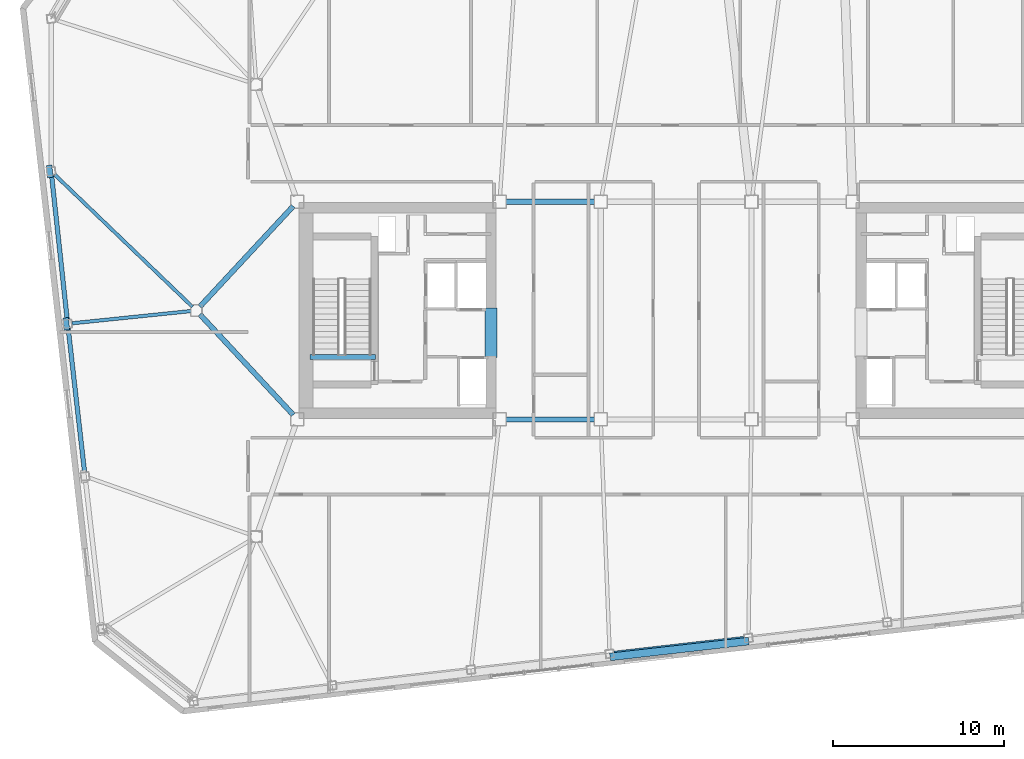
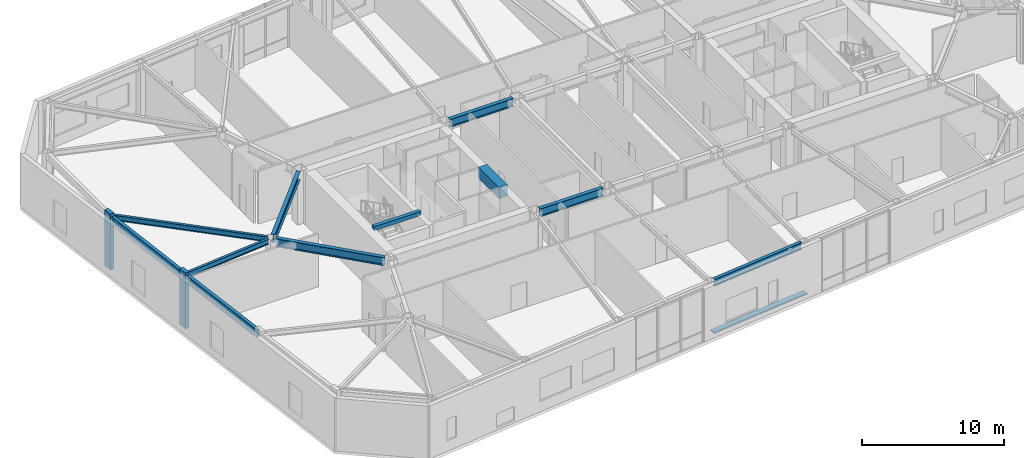
# One storey, part 7 of 21: 11 beams, 3 members.
"""IFC4 building model written with IfcOpenShell, lengths in metres."""

from ifc_helpers import new_model, si_unit, direction, frame, origin, origin_2d, place, context, subcontext, project, spatial, rectangle, i_section, extrude, material, material_profile, profile_set, type_object, element, save


model = new_model("IFC4")

# Units and contexts
model_context = context("Model", 3, precision=1e-05, world=origin(), true_north=direction((0.0, 1.0)))
body_context = subcontext(model_context, "Body", "Model", "MODEL_VIEW")
ifc_project = project(units=[si_unit("LENGTHUNIT", "METRE"), si_unit("AREAUNIT", "SQUARE_METRE"), si_unit("VOLUMEUNIT", "CUBIC_METRE"), si_unit("PLANEANGLEUNIT", "RADIAN"), si_unit("MASSUNIT", "GRAM", prefix="KILO")], contexts=[model_context])

# Site, building, storey
site_placement = place(None, origin())
site = spatial("IfcSite", under=ifc_project, at=site_placement, CompositionType="ELEMENT")
building_placement = place(site_placement, origin())
building = spatial("IfcBuilding", under=site, at=building_placement, Name="Tavrogorsk Clinical Tower", CompositionType="ELEMENT")
storey_placement = place(building_placement, frame((0.0, 0.0, 238.199951171875)))
storey = spatial("IfcBuildingStorey", under=building, at=storey_placement, Name="L55", CompositionType="ELEMENT", Elevation=238.199951171875)

# Member
ifc_material_1 = material(Name="Anodised aluminium alloy AW-6063", Category="aluminium")
ifc_material_profile_1 = material_profile(ifc_material_1, rectangle(XDim=0.449951171875, YDim=0.1201171875, at=origin_2d()), Name="ALU-SUNSHADE-450x120")
ifc_profile_set_1 = profile_set([ifc_material_profile_1], Name="Anodised aluminium alloy AW-6063")
member_type_1 = type_object("IfcMemberType", Name="ChicagoSunshade_450x120", PredefinedType="USERDEFINED", material=ifc_profile_set_1)
member_placement = place(storey_placement, frame((-3.855712890625, -20.214111328125, 0.179931640625), z_axis=(0.99356960656, 0.11322295227, 0.0), x_axis=(-0.11322295227, 0.99356960656, 0.0)))
element("IfcMember", 1, at=member_placement, inside=storey, type_object=member_type_1, Name="L55 South Aluminium Sunshade S4", ObjectType="SUNSHADE", PredefinedType="USERDEFINED", context=body_context, shape_type="SweptSolid", body=[
    extrude(rectangle(XDim=0.449951171875, YDim=0.1201171875, at=origin_2d()), origin(), (0.0, 0.0, 1.0), 8.148681640625),
])

# Beams
ifc_material_2 = material(Name="Concrete B80", Category="concrete")
ifc_material_profile_2 = material_profile(ifc_material_2, rectangle(XDim=0.699951171875, YDim=0.949951171875, at=origin_2d()), Name="RC-CB-700x950")
ifc_profile_set_2 = profile_set([ifc_material_profile_2], Name="Concrete B80")
beam_type_1 = type_object("IfcBeamType", Name="CouplingBeam_RC700x950", PredefinedType="LINTEL", material=ifc_profile_set_2)
beam_1_placement = place(storey_placement, frame((-10.800048828125, -2.75, 4.06494140625), z_axis=(0.0, 1.0, 0.0), x_axis=(-1.0, 0.0, 0.0)))
element("IfcBeam", 2, at=beam_1_placement, inside=storey, type_object=beam_type_1, Name="L55 Core West Coupling Beam", PredefinedType="LINTEL", context=body_context, shape_type="SweptSolid", body=[
    extrude(rectangle(XDim=0.699951171875, YDim=0.949951171875, at=origin_2d()), origin(), (0.0, 0.0, 1.0), 2.89990234375),
])
ifc_material_3 = material(Name="Structural steel S355", Category="steel")
ifc_material_profile_3 = material_profile(ifc_material_3, i_section(OverallWidth=0.199951171875, OverallDepth=0.449951171875, WebThickness=0.011474609375, FlangeThickness=0.01806640625, at=origin_2d()), Name="B-450x200x11.5x18")
ifc_profile_set_3 = profile_set([ifc_material_profile_3], Name="Structural steel S355")
beam_type_2 = type_object("IfcBeamType", Name="FloorBeam_B450", PredefinedType="BEAM", material=ifc_profile_set_3)
beam_2_placement = place(storey_placement, frame((-28.2236328125, 0.214599609375, 4.31494140625), z_axis=(-0.721413519982, 0.692504536582, 0.0), x_axis=(-0.692504536582, -0.721413519982, 0.0)))
element("IfcBeam", 3, at=beam_2_placement, inside=storey, type_object=beam_type_2, Name="L55 Radial Floor Beam W2", PredefinedType="BEAM", context=body_context, shape_type="SweptSolid", body=[
    extrude(i_section(OverallWidth=0.199951171875, OverallDepth=0.449951171875, WebThickness=0.011474609375, FlangeThickness=0.01806640625, at=origin_2d()), origin(), (0.0, 0.0, 1.0), 11.1728515625),
])
beam_3_placement = place(storey_placement, frame((-28.308349609375, -0.03173828125, 4.31494140625), z_axis=(-0.994752624307, -0.102309415177, 0.0), x_axis=(0.102309415177, -0.994752624307, 0.0)))
element("IfcBeam", 4, at=beam_3_placement, inside=storey, type_object=beam_type_2, Name="L55 Radial Floor Beam W3", PredefinedType="BEAM", context=body_context, shape_type="SweptSolid", body=[
    extrude(i_section(OverallWidth=0.199951171875, OverallDepth=0.449951171875, WebThickness=0.011474609375, FlangeThickness=0.01806640625, at=origin_2d()), origin(), (0.0, 0.0, 1.0), 6.9775390625),
])

# Members
ifc_material_4 = material(Name="Precast concrete B45 with limestone cladding", Category="masonry")
ifc_material_profile_4 = material_profile(ifc_material_4, rectangle(XDim=0.320068359375, YDim=0.719970703125, at=origin_2d()), Name="LIMESTONE-FIN-320x720")
ifc_profile_set_4 = profile_set([ifc_material_profile_4], Name="Precast concrete B45 with limestone cladding")
member_type_2 = type_object("IfcMemberType", Name="LimestonePleatFin_320x720", PredefinedType="USERDEFINED", material=ifc_profile_set_4)
for number, where, z_axis, x_axis, name in (
    (5, (-36.549560546875, 8.121337890625, 0.0), (0.0, 0.0, 1.0), (0.993571855677, 0.113203213768, 0.0), "L55 W Pleated Stone Fin 1"),
    (6, (-35.585205078125, -0.781005859375, 0.0), (0.0, 0.0, 1.0), (0.993571855677, 0.113203213768, 0.0), "L55 W Pleated Stone Fin 2"),
):
    element("IfcMember", number, at=place(storey_placement, frame(where, z_axis=z_axis, x_axis=x_axis)), inside=storey, type_object=member_type_2, Name=name, ObjectType="FIN", PredefinedType="USERDEFINED", context=body_context, shape_type="SweptSolid", body=[
        extrude(rectangle(XDim=0.320068359375, YDim=0.719970703125, at=origin_2d()), origin(), (0.0, 0.0, 1.0), 4.800048828125),
    ])

# Beams
ifc_material_5 = material(Name="Structural steel S390", Category="steel")
ifc_material_profile_5 = material_profile(ifc_material_5, i_section(OverallWidth=0.300048828125, OverallDepth=0.699951171875, WebThickness=0.01708984375, FlangeThickness=0.028076171875, at=origin_2d()), Name="B-700x300x17x28")
ifc_profile_set_5 = profile_set([ifc_material_profile_5], Name="Structural steel S390")
beam_type_3 = type_object("IfcBeamType", Name="PrimaryGirder_B700", PredefinedType="USERDEFINED", material=ifc_profile_set_5)
for number, where, z_axis, x_axis, name in (
    (7, (-9.93994140625, -6.35009765625, 4.18994140625), (1.0, 0.0, 0.0), (0.0, 1.0, 0.0), "L55 Primary Spine Girder MG-01"),
    (8, (-9.93994140625, 6.35009765625, 4.18994140625), (1.0, 0.0, 0.0), (0.0, 1.0, 0.0), "L55 Primary Spine Girder MG-02"),
):
    element("IfcBeam", number, at=place(storey_placement, frame(where, z_axis=z_axis, x_axis=x_axis)), inside=storey, type_object=beam_type_3, Name=name, ObjectType="GIRDER", PredefinedType="USERDEFINED", context=body_context, shape_type="SweptSolid", body=[
        extrude(i_section(OverallWidth=0.300048828125, OverallDepth=0.699951171875, WebThickness=0.01708984375, FlangeThickness=0.028076171875, at=origin_2d()), origin(), (0.0, 0.0, 1.0), 5.179931640625),
    ])
for number, where, z_axis, x_axis, name in (
    (9, (-27.7890625, -0.22705078125, 4.18994140625), (0.680684060959, -0.732577101168, 0.0), (0.732577101168, 0.680684060959, 0.0), "L55 Spine Link Girder OPG-5"),
    (10, (-27.7890625, 0.22705078125, 4.18994140625), (0.680684060959, 0.732577101168, 0.0), (-0.732577101168, 0.680684060959, 0.0), "L55 Spine Link Girder OPG-6"),
):
    element("IfcBeam", number, at=place(storey_placement, frame(where, z_axis=z_axis, x_axis=x_axis)), inside=storey, type_object=beam_type_3, Name=name, ObjectType="GIRDER", PredefinedType="USERDEFINED", context=body_context, shape_type="SweptSolid", body=[
        extrude(i_section(OverallWidth=0.300048828125, OverallDepth=0.699951171875, WebThickness=0.01708984375, FlangeThickness=0.028076171875, at=origin_2d()), origin(), (0.0, 0.0, 1.0), 7.998046875),
    ])
ifc_material_6 = material(Name="Structural steel S390", Category="steel")
ifc_material_profile_6 = material_profile(ifc_material_6, i_section(OverallWidth=0.260009765625, OverallDepth=0.60009765625, WebThickness=0.014892578125, FlangeThickness=0.02392578125, at=origin_2d()), Name="B-600x260x15x24")
ifc_profile_set_6 = profile_set([ifc_material_profile_6], Name="Structural steel S390")
beam_type_4 = type_object("IfcBeamType", Name="SpandrelBeam_B600", PredefinedType="SPANDREL", material=ifc_profile_set_6)
beam_4_placement = place(storey_placement, frame((-3.619873046875, -20.006103515625, 4.239990234375), z_axis=(0.993568911788, 0.113229048956, 0.0), x_axis=(-0.113229048956, 0.993568911788, 0.0)))
element("IfcBeam", 11, at=beam_4_placement, inside=storey, type_object=beam_type_4, Name="L55 Perimeter Spandrel S4-S5", PredefinedType="SPANDREL", context=body_context, shape_type="SweptSolid", body=[
    extrude(i_section(OverallWidth=0.260009765625, OverallDepth=0.60009765625, WebThickness=0.014892578125, FlangeThickness=0.02392578125, at=origin_2d()), origin(), (0.0, 0.0, 1.0), 7.6328125),
])
beam_5_placement = place(storey_placement, frame((-36.442138671875, 7.8740234375, 4.239990234375), z_axis=(0.107655746314, -0.994188231818, 0.0), x_axis=(0.994188231818, 0.107655746314, 0.0)))
element("IfcBeam", 12, at=beam_5_placement, inside=storey, type_object=beam_type_4, Name="L55 Perimeter Spandrel W2-W3", PredefinedType="SPANDREL", context=body_context, shape_type="SweptSolid", body=[
    extrude(i_section(OverallWidth=0.260009765625, OverallDepth=0.60009765625, WebThickness=0.014892578125, FlangeThickness=0.02392578125, at=origin_2d()), origin(), (0.0, 0.0, 1.0), 8.4384765625),
])
beam_6_placement = place(storey_placement, frame((-35.4765625, -1.0283203125, 4.239990234375), z_axis=(0.113195129234, -0.99357277676, 0.0), x_axis=(0.99357277676, 0.113195129234, 0.0)))
element("IfcBeam", 13, at=beam_6_placement, inside=storey, type_object=beam_type_4, Name="L55 Perimeter Spandrel W3-W4", PredefinedType="SPANDREL", context=body_context, shape_type="SweptSolid", body=[
    extrude(i_section(OverallWidth=0.260009765625, OverallDepth=0.60009765625, WebThickness=0.014892578125, FlangeThickness=0.02392578125, at=origin_2d()), origin(), (0.0, 0.0, 1.0), 8.44384765625),
])
ifc_material_7 = material(Name="Concrete B60", Category="concrete")
ifc_material_profile_7 = material_profile(ifc_material_7, rectangle(XDim=0.300048828125, YDim=0.35009765625, at=origin_2d()), Name="RC-SHB-300x350")
ifc_profile_set_7 = profile_set([ifc_material_profile_7], Name="Concrete B60")
beam_type_5 = type_object("IfcBeamType", Name="StairHeaderBeam_RC300x350", PredefinedType="BEAM", material=ifc_profile_set_7)
beam_7_placement = place(storey_placement, frame((-21.35009765625, -2.719970703125, 4.625), z_axis=(1.0, 0.0, 0.0), x_axis=(0.0, 1.0, 0.0)))
element("IfcBeam", 14, at=beam_7_placement, inside=storey, type_object=beam_type_5, Name="L56 ST-W Landing Header Beam", PredefinedType="BEAM", context=body_context, shape_type="SweptSolid", body=[
    extrude(rectangle(XDim=0.300048828125, YDim=0.35009765625, at=origin_2d()), origin(), (0.0, 0.0, 1.0), 3.800048828125),
])

save(model, "model.ifc")
